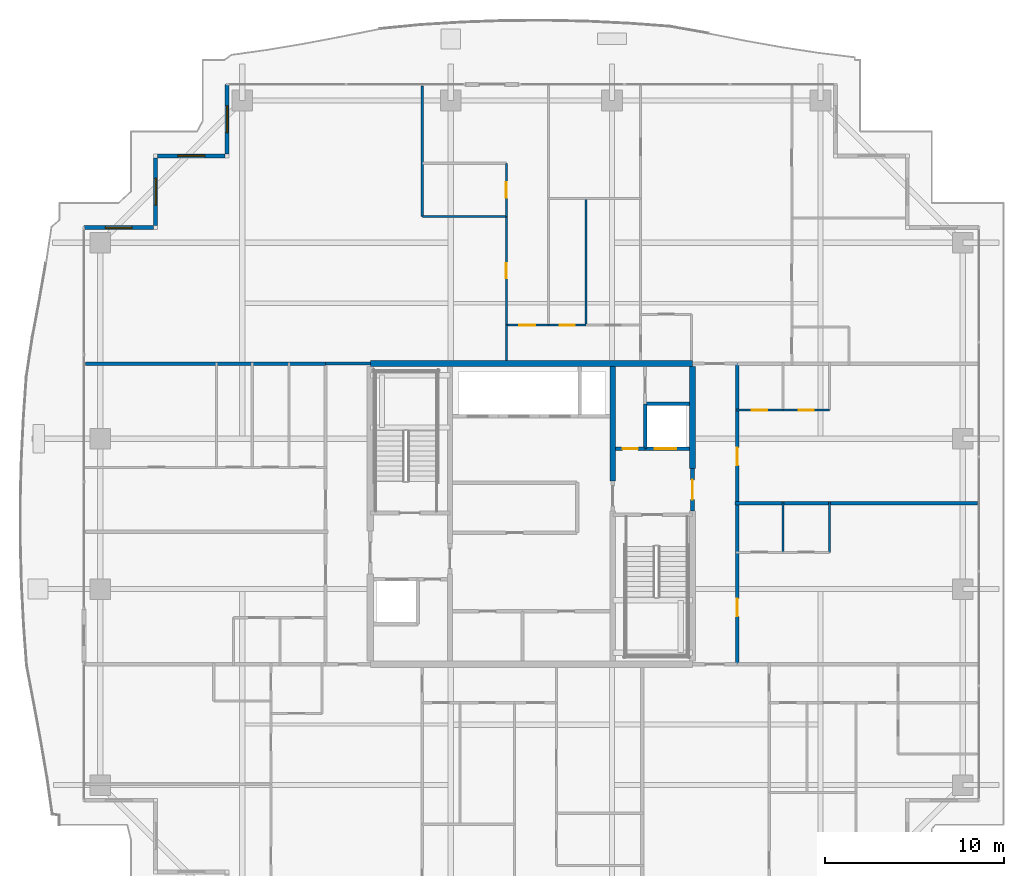
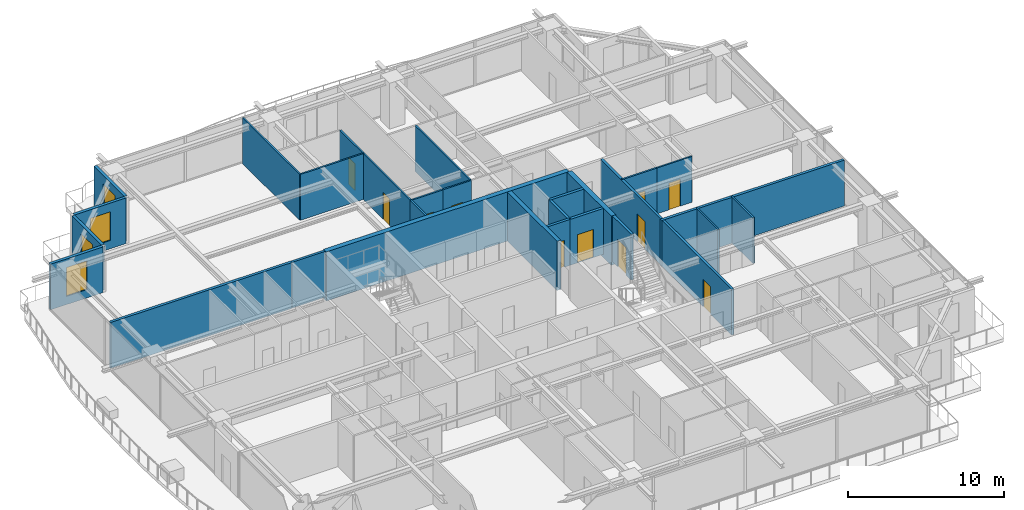
# One storey, part 30 of 38: 28 walls, 11 doors, 4 windows, 15 openings.
"""IFC4 building model written with IfcOpenShell, lengths in metres."""

from ifc_helpers import new_model, si_unit, direction, frame, frame_2d, origin, place, context, subcontext, project, spatial, rectangle, extrude, source, transform, mapped, material, layer, layer_set, type_object, element, fill, save


model = new_model("IFC4")

# Units and contexts
model_context = context("Model", 3, precision=1e-05, world=origin(), true_north=direction((0.0, 1.0)))
body_context = subcontext(model_context, "Body", "Model", "MODEL_VIEW")
ifc_project = project(units=[si_unit("LENGTHUNIT", "METRE"), si_unit("AREAUNIT", "SQUARE_METRE"), si_unit("VOLUMEUNIT", "CUBIC_METRE"), si_unit("PLANEANGLEUNIT", "RADIAN"), si_unit("MASSUNIT", "GRAM", prefix="KILO")], contexts=[model_context])

# Site, building, storey
site_placement = place(None, origin())
site = spatial("IfcSite", under=ifc_project, at=site_placement, CompositionType="ELEMENT")
building_placement = place(site_placement, origin())
building = spatial("IfcBuilding", under=site, at=building_placement, Name="Serunith Strait Residences", CompositionType="ELEMENT")
storey_placement = place(building_placement, frame((0.0, 0.0, 268.199951171875)))
storey = spatial("IfcBuildingStorey", under=building, at=storey_placement, Name="L67", CompositionType="ELEMENT", Elevation=268.199951171875)

# Wall, opening, window
ifc_material_1 = material(Name="Pale-Champagne Aluminium Insulated Panel", Category="aluminium")
ifc_layer_1 = layer(ifc_material_1, 0.219970703125, Name="Pale-Champagne Aluminium Insulated Panel")
ifc_layer_set_1 = layer_set([ifc_layer_1], Name="Pale-Champagne Aluminium Insulated Panel")
wall_type_1 = type_object("IfcWallType", Name="EW-ALUM-220", PredefinedType="ELEMENTEDWALL", material=ifc_layer_set_1)
wall_1_placement = place(storey_placement, frame((15.39990234375, 49.199951171875, 0.0), z_axis=(0.0, 0.0, 1.0), x_axis=(0.0, -1.0, 0.0)))
wall_1 = element("IfcWall", 1, at=wall_1_placement, inside=storey, type_object=wall_type_1, Name="L67 Girih Serrated Corner Wall 12", PredefinedType="ELEMENTEDWALL", context=body_context, shape_type="SweptSolid", body=[
    extrude(rectangle(XDim=3.889892578125, YDim=0.219970703125, at=frame_2d((1.94482421875, 0.0))), origin(), (0.0, 0.0, 1.0), 3.574951171875),
])
opening_1_placement = place(wall_1_placement, frame((1.195068359375, 0.0, 0.64990234375)))
opening_1 = element("IfcOpeningElement", 2, at=opening_1_placement, cuts=wall_1, Name="Opening W-05", PredefinedType="OPENING", context=body_context, shape_type="SweptSolid", body=[
    extrude(rectangle(XDim=1.5, YDim=2.25, at=frame_2d((0.75, 1.125))), frame((0.0, 0.1201171875, 0.0), z_axis=(0.0, -1.0, 0.0), x_axis=(1.0, 0.0, 0.0)), (0.0, 0.0, 1.0), 0.239990234375),
])
ifc_material_2 = material(Name="Ceramic-Fritted Operable Aluminium Window Glass", Category="aluminium")
window_type = type_object("IfcWindowType", Name="WIN-C5", PartitioningType="DOUBLE_PANEL_VERTICAL", PredefinedType="WINDOW", material=ifc_material_2)
shared_shape_1 = source(origin(), body_context, "Body", "SweptSolid", [
    extrude(rectangle(XDim=1.5, YDim=2.25, at=frame_2d((0.75, 1.125))), frame((0.0, 0.030029296875, 0.0), z_axis=(0.0, -1.0, 0.0), x_axis=(1.0, 0.0, 0.0)), (0.0, 0.0, 1.0), 0.06005859375),
])
window_1_placement = place(opening_1_placement, origin())
window_1 = element("IfcWindow", 3, at=window_1_placement, inside=storey, type_object=window_type, Name="L67 Corner Operable Fritted Window 12", OverallHeight=2.25, OverallWidth=1.5, PartitioningType="SINGLE_PANEL", PredefinedType="WINDOW", context=body_context, shape_type="MappedRepresentation", body=[
    mapped(shared_shape_1, transform((0.0, 0.0, 0.0), scale=1.0)),
])
fill(opening_1, window_1)

wall_2_placement = place(storey_placement, frame((15.2900390625, 45.199951171875, 0.0), z_axis=(0.0, 0.0, 1.0), x_axis=(-1.0, 0.0, 0.0)))
wall_2 = element("IfcWall", 4, at=wall_2_placement, inside=storey, type_object=wall_type_1, Name="L67 Girih Serrated Corner Wall 13", PredefinedType="ELEMENTEDWALL", context=body_context, shape_type="SweptSolid", body=[
    extrude(rectangle(XDim=3.780029296875, YDim=0.219970703125, at=frame_2d((1.89013671875, 0.0))), origin(), (0.0, 0.0, 1.0), 3.574951171875),
])
opening_2_placement = place(wall_2_placement, frame((1.139892578125, 0.0, 0.64990234375)))
opening_2 = element("IfcOpeningElement", 5, at=opening_2_placement, cuts=wall_2, Name="Opening W-05", PredefinedType="OPENING", context=body_context, shape_type="SweptSolid", body=[
    extrude(rectangle(XDim=1.5, YDim=2.25, at=frame_2d((0.75, 1.125))), frame((0.0, 0.1201171875, 0.0), z_axis=(0.0, -1.0, 0.0), x_axis=(1.0, 0.0, 0.0)), (0.0, 0.0, 1.0), 0.239990234375),
])
window_2_placement = place(opening_2_placement, origin())
window_2 = element("IfcWindow", 6, at=window_2_placement, inside=storey, type_object=window_type, Name="L67 Corner Operable Fritted Window 13", OverallHeight=2.25, OverallWidth=1.5, PartitioningType="SINGLE_PANEL", PredefinedType="WINDOW", context=body_context, shape_type="MappedRepresentation", body=[
    mapped(shared_shape_1, transform((0.0, 0.0, 0.0), scale=1.0)),
])
fill(opening_2, window_2)

wall_3_placement = place(storey_placement, frame((11.39990234375, 45.090087890625, 0.0), z_axis=(0.0, 0.0, 1.0), x_axis=(0.0, -1.0, 0.0)))
wall_3 = element("IfcWall", 7, at=wall_3_placement, inside=storey, type_object=wall_type_1, Name="L67 Girih Serrated Corner Wall 14", PredefinedType="ELEMENTEDWALL", context=body_context, shape_type="SweptSolid", body=[
    extrude(rectangle(XDim=3.780029296875, YDim=0.219970703125, at=frame_2d((1.89013671875, 0.0))), origin(), (0.0, 0.0, 1.0), 3.574951171875),
])
opening_3_placement = place(wall_3_placement, frame((1.139892578125, 0.0, 0.64990234375)))
opening_3 = element("IfcOpeningElement", 8, at=opening_3_placement, cuts=wall_3, Name="Opening W-05", PredefinedType="OPENING", context=body_context, shape_type="SweptSolid", body=[
    extrude(rectangle(XDim=1.5, YDim=2.25, at=frame_2d((0.75, 1.125))), frame((0.0, 0.1201171875, 0.0), z_axis=(0.0, -1.0, 0.0), x_axis=(1.0, 0.0, 0.0)), (0.0, 0.0, 1.0), 0.239990234375),
])
window_3_placement = place(opening_3_placement, origin())
window_3 = element("IfcWindow", 9, at=window_3_placement, inside=storey, type_object=window_type, Name="L67 Corner Operable Fritted Window 14", OverallHeight=2.25, OverallWidth=1.5, PartitioningType="SINGLE_PANEL", PredefinedType="WINDOW", context=body_context, shape_type="MappedRepresentation", body=[
    mapped(shared_shape_1, transform((0.0, 0.0, 0.0), scale=1.0)),
])
fill(opening_3, window_3)

wall_4_placement = place(storey_placement, frame((11.2900390625, 41.199951171875, 0.0), z_axis=(0.0, 0.0, 1.0), x_axis=(-1.0, 0.0, 0.0)))
wall_4 = element("IfcWall", 10, at=wall_4_placement, inside=storey, type_object=wall_type_1, Name="L67 Girih Serrated Corner Wall 15", PredefinedType="ELEMENTEDWALL", context=body_context, shape_type="SweptSolid", body=[
    extrude(rectangle(XDim=3.89013671875, YDim=0.219970703125, at=frame_2d((1.945068359375, 0.0))), origin(), (0.0, 0.0, 1.0), 3.574951171875),
])
opening_4_placement = place(wall_4_placement, frame((1.195068359375, 0.0, 0.64990234375)))
opening_4 = element("IfcOpeningElement", 11, at=opening_4_placement, cuts=wall_4, Name="Opening W-05", PredefinedType="OPENING", context=body_context, shape_type="SweptSolid", body=[
    extrude(rectangle(XDim=1.5, YDim=2.25, at=frame_2d((0.75, 1.125))), frame((0.0, 0.1201171875, 0.0), z_axis=(0.0, -1.0, 0.0), x_axis=(1.0, 0.0, 0.0)), (0.0, 0.0, 1.0), 0.239990234375),
])
window_4_placement = place(opening_4_placement, origin())
window_4 = element("IfcWindow", 12, at=window_4_placement, inside=storey, type_object=window_type, Name="L67 Corner Operable Fritted Window 15", OverallHeight=2.25, OverallWidth=1.5, PartitioningType="SINGLE_PANEL", PredefinedType="WINDOW", context=body_context, shape_type="MappedRepresentation", body=[
    mapped(shared_shape_1, transform((0.0, 0.0, 0.0), scale=1.0)),
])
fill(opening_4, window_4)

# Wall
ifc_material_3 = material(Name="Fire-rated acoustic gypsum partition")
ifc_layer_2 = layer(ifc_material_3, 0.179931640625, Name="Fire-rated acoustic gypsum partition")
ifc_layer_set_2 = layer_set([ifc_layer_2], Name="Fire-rated acoustic gypsum partition")
wall_type_2 = type_object("IfcWallType", Name="IW-CORR-180", PredefinedType="PARTITIONING", material=ifc_layer_set_2)
wall_5_placement = place(storey_placement, frame((20.902099609375, 33.60009765625, 0.0), z_axis=(0.0, 0.0, 1.0), x_axis=(1.0, 0.0, 0.0)))
element("IfcWall", 13, at=wall_5_placement, inside=storey, type_object=wall_type_2, Name="L67 Partition Wall 026", PredefinedType="PARTITIONING", context=body_context, shape_type="SweptSolid", body=[
    extrude(rectangle(XDim=2.495849609375, YDim=0.179931640625, at=frame_2d((1.248046875, 0.0))), origin(), (0.0, 0.0, 1.0), 3.590087890625),
])

# Wall, openings, doors
wall_6_placement = place(storey_placement, frame((43.89990234375, 16.800048828125, 0.0), z_axis=(0.0, 0.0, 1.0), x_axis=(0.0, 1.0, 0.0)))
wall_6 = element("IfcWall", 14, at=wall_6_placement, inside=storey, type_object=wall_type_2, Name="L67 Partition Wall 030", PredefinedType="PARTITIONING", context=body_context, shape_type="SweptSolid", body=[
    extrude(rectangle(XDim=16.800048828125, YDim=0.179931640625, at=frame_2d((8.39990234375, 0.0))), origin(), (0.0, 0.0, 1.0), 3.590087890625),
])
opening_5_placement = place(wall_6_placement, frame((2.669921875, 0.0, 0.0)))
opening_5 = element("IfcOpeningElement", 15, at=opening_5_placement, cuts=wall_6, Name="Opening D-APT1000", PredefinedType="OPENING", context=body_context, shape_type="SweptSolid", body=[
    extrude(rectangle(XDim=1.0, YDim=2.14990234375, at=frame_2d((0.5, 1.074951171875))), frame((0.0, 0.10009765625, 0.0), z_axis=(0.0, -1.0, 0.0), x_axis=(1.0, 0.0, 0.0)), (0.0, 0.0, 1.0), 0.199951171875),
])
opening_6_placement = place(wall_6_placement, frame((11.10693359375, 0.0, 0.0)))
opening_6 = element("IfcOpeningElement", 16, at=opening_6_placement, cuts=wall_6, Name="Opening D-APT1000", PredefinedType="OPENING", context=body_context, shape_type="SweptSolid", body=[
    extrude(rectangle(XDim=1.0, YDim=2.14990234375, at=frame_2d((0.5, 1.074951171875))), frame((0.0, 0.10009765625, 0.0), z_axis=(0.0, -1.0, 0.0), x_axis=(1.0, 0.0, 0.0)), (0.0, 0.0, 1.0), 0.199951171875),
])
ifc_material_4 = material(Name="Solid timber engineered fire door", Category="wood")
door_type_1 = type_object("IfcDoorType", Name="ID-APT-1000", OperationType="NOTDEFINED", PredefinedType="DOOR", material=ifc_material_4)
shared_shape_2 = source(origin(), body_context, "Body", "SweptSolid", [
    extrude(rectangle(XDim=1.0, YDim=2.14990234375, at=frame_2d((0.5, 1.074951171875))), frame((0.0, 0.02490234375, 0.0), z_axis=(0.0, -1.0, 0.0), x_axis=(1.0, 0.0, 0.0)), (0.0, 0.0, 1.0), 0.050048828125),
])
door_1_placement = place(opening_5_placement, origin())
door_1 = element("IfcDoor", 17, at=door_1_placement, inside=storey, type_object=door_type_1, Name="L67 Unit 06 Entrance Door", OperationType="SINGLE_SWING_LEFT", OverallHeight=2.14990234375, OverallWidth=1.0, PredefinedType="DOOR", context=body_context, shape_type="MappedRepresentation", body=[
    mapped(shared_shape_2, transform((0.0, 0.0, 0.0), scale=1.0)),
])
fill(opening_5, door_1)
door_2_placement = place(opening_6_placement, origin())
door_2 = element("IfcDoor", 18, at=door_2_placement, inside=storey, type_object=door_type_1, Name="L67 Unit 07 Entrance Door", OperationType="SINGLE_SWING_RIGHT", OverallHeight=2.14990234375, OverallWidth=1.0, PredefinedType="DOOR", context=body_context, shape_type="MappedRepresentation", body=[
    mapped(shared_shape_2, transform((0.0, 0.0, 0.0), scale=1.0)),
])
fill(opening_6, door_2)

# Wall
ifc_material_5 = material(Name="Lightweight steel-stud gypsum partition", Category="steel")
ifc_layer_3 = layer(ifc_material_5, 0.1201171875, Name="Lightweight steel-stud gypsum partition")
ifc_layer_set_3 = layer_set([ifc_layer_3], Name="Lightweight steel-stud gypsum partition")
wall_type_3 = type_object("IfcWallType", Name="IW-PART-120", PredefinedType="PARTITIONING", material=ifc_layer_set_3)
wall_7_placement = place(storey_placement, frame((35.449951171875, 42.830078125, 0.0), z_axis=(0.0, 0.0, 1.0), x_axis=(0.0, -1.0, 0.0)))
element("IfcWall", 19, at=wall_7_placement, inside=storey, type_object=wall_type_3, Name="L67 Partition Wall 073", PredefinedType="PARTITIONING", context=body_context, shape_type="SweptSolid", body=[
    extrude(rectangle(XDim=7.080078125, YDim=0.1201171875, at=frame_2d((3.5400390625, 0.0))), origin(), (0.0, 0.0, 1.0), 3.590087890625),
])

# Wall, opening, door
wall_8_placement = place(storey_placement, frame((33.35009765625, 35.75, 0.0), z_axis=(0.0, 0.0, 1.0), x_axis=(1.0, 0.0, 0.0)))
wall_8 = element("IfcWall", 20, at=wall_8_placement, inside=storey, type_object=wall_type_3, Name="L67 Partition Wall 074", PredefinedType="PARTITIONING", context=body_context, shape_type="SweptSolid", body=[
    extrude(rectangle(XDim=2.099853515625, YDim=0.1201171875, at=frame_2d((1.0498046875, 0.0))), origin(), (0.0, 0.0, 1.0), 3.590087890625),
])
opening_7_placement = place(wall_8_placement, frame((0.625, 0.0, 0.0)))
opening_7 = element("IfcOpeningElement", 21, at=opening_7_placement, cuts=wall_8, Name="Opening D-BTH850", PredefinedType="OPENING", context=body_context, shape_type="SweptSolid", body=[
    extrude(rectangle(XDim=0.85009765625, YDim=2.10009765625, at=frame_2d((0.425048828125, 1.050048828125))), frame((0.0, 0.070068359375, 0.0), z_axis=(0.0, -1.0, 0.0), x_axis=(1.0, 0.0, 0.0)), (0.0, 0.0, 1.0), 0.14013671875),
])
ifc_material_6 = material(Name="Moisture-resistant timber bathroom door", Category="wood")
door_type_2 = type_object("IfcDoorType", Name="ID-BATH-850", OperationType="NOTDEFINED", PredefinedType="DOOR", material=ifc_material_6)
shared_shape_3 = source(origin(), body_context, "Body", "SweptSolid", [
    extrude(rectangle(XDim=0.85009765625, YDim=2.10009765625, at=frame_2d((0.425048828125, 1.050048828125))), frame((0.0, 0.02490234375, 0.0), z_axis=(0.0, -1.0, 0.0), x_axis=(1.0, 0.0, 0.0)), (0.0, 0.0, 1.0), 0.050048828125),
])
door_3_placement = place(opening_7_placement, origin())
door_3 = element("IfcDoor", 22, at=door_3_placement, inside=storey, type_object=door_type_2, Name="L67 Bathroom 6703 Door", OperationType="SINGLE_SWING_RIGHT", OverallHeight=2.10009765625, OverallWidth=0.85009765625, PredefinedType="DOOR", context=body_context, shape_type="MappedRepresentation", body=[
    mapped(shared_shape_3, transform((0.0, 0.0, 0.0), scale=1.0)),
])
fill(opening_7, door_3)

wall_9_placement = place(storey_placement, frame((31.0, 35.75, 0.0), z_axis=(0.0, 0.0, 1.0), x_axis=(1.0, 0.0, 0.0)))
wall_9 = element("IfcWall", 23, at=wall_9_placement, inside=storey, type_object=wall_type_3, Name="L67 Partition Wall 076", PredefinedType="PARTITIONING", context=body_context, shape_type="SweptSolid", body=[
    extrude(rectangle(XDim=2.347900390625, YDim=0.1201171875, at=frame_2d((1.173828125, 0.0))), origin(), (0.0, 0.0, 1.0), 3.590087890625),
])
opening_8_placement = place(wall_9_placement, frame((0.72412109375, 0.0, 0.0)))
opening_8 = element("IfcOpeningElement", 24, at=opening_8_placement, cuts=wall_9, Name="Opening D-RM900", PredefinedType="OPENING", context=body_context, shape_type="SweptSolid", body=[
    extrude(rectangle(XDim=0.89990234375, YDim=2.10009765625, at=frame_2d((0.449951171875, 1.050048828125))), frame((0.0, 0.070068359375, 0.0), z_axis=(0.0, -1.0, 0.0), x_axis=(1.0, 0.0, 0.0)), (0.0, 0.0, 1.0), 0.14013671875),
])
ifc_material_7 = material(Name="Engineered timber flush bedroom door", Category="wood")
door_type_3 = type_object("IfcDoorType", Name="ID-ROOM-900", OperationType="NOTDEFINED", PredefinedType="DOOR", material=ifc_material_7)
shared_shape_4 = source(origin(), body_context, "Body", "SweptSolid", [
    extrude(rectangle(XDim=0.89990234375, YDim=2.10009765625, at=frame_2d((0.449951171875, 1.050048828125))), frame((0.0, 0.02490234375, 0.0), z_axis=(0.0, -1.0, 0.0), x_axis=(1.0, 0.0, 0.0)), (0.0, 0.0, 1.0), 0.050048828125),
])
door_4_placement = place(opening_8_placement, origin())
door_4 = element("IfcDoor", 25, at=door_4_placement, inside=storey, type_object=door_type_3, Name="L67 Master Bedroom W 6703 Door", OperationType="SINGLE_SWING_RIGHT", OverallHeight=2.10009765625, OverallWidth=0.89990234375, PredefinedType="DOOR", context=body_context, shape_type="MappedRepresentation", body=[
    mapped(shared_shape_4, transform((0.0, 0.0, 0.0), scale=1.0)),
])
fill(opening_8, door_4)

# Walls
wall_10_placement = place(storey_placement, frame((26.300048828125, 49.10498046875, 0.0), z_axis=(0.0, 0.0, 1.0), x_axis=(0.0, -1.0, 0.0)))
element("IfcWall", 26, at=wall_10_placement, inside=storey, type_object=wall_type_3, Name="L67 Partition Wall 078", PredefinedType="PARTITIONING", context=body_context, shape_type="SweptSolid", body=[
    extrude(rectangle(XDim=7.29296875, YDim=0.1201171875, at=frame_2d((3.646484375, 0.0))), origin(), (0.0, 0.0, 1.0), 3.590087890625),
])
wall_11_placement = place(storey_placement, frame((26.300048828125, 41.81201171875, 0.0), z_axis=(0.0, 0.0, 1.0), x_axis=(1.0, 0.0, 0.0)))
element("IfcWall", 27, at=wall_11_placement, inside=storey, type_object=wall_type_3, Name="L67 Partition Wall 079", PredefinedType="PARTITIONING", context=body_context, shape_type="SweptSolid", body=[
    extrude(rectangle(XDim=4.699951171875, YDim=0.1201171875, at=frame_2d((2.35009765625, 0.0))), origin(), (0.0, 0.0, 1.0), 3.590087890625),
])

# Wall, opening, door
wall_12_placement = place(storey_placement, frame((31.0, 44.791015625, 0.0), z_axis=(0.0, 0.0, 1.0), x_axis=(0.0, -1.0, 0.0)))
wall_12 = element("IfcWall", 28, at=wall_12_placement, inside=storey, type_object=wall_type_3, Name="L67 Partition Wall 080", PredefinedType="PARTITIONING", context=body_context, shape_type="SweptSolid", body=[
    extrude(rectangle(XDim=2.97900390625, YDim=0.1201171875, at=frame_2d((1.489501953125, 0.0))), origin(), (0.0, 0.0, 1.0), 3.590087890625),
])
opening_9_placement = place(wall_12_placement, frame((1.06396484375, 0.0, 0.0)))
opening_9 = element("IfcOpeningElement", 29, at=opening_9_placement, cuts=wall_12, Name="Opening D-BTH850", PredefinedType="OPENING", context=body_context, shape_type="SweptSolid", body=[
    extrude(rectangle(XDim=0.85009765625, YDim=2.10009765625, at=frame_2d((0.425048828125, 1.050048828125))), frame((0.0, 0.070068359375, 0.0), z_axis=(0.0, -1.0, 0.0), x_axis=(1.0, 0.0, 0.0)), (0.0, 0.0, 1.0), 0.14013671875),
])
door_5_placement = place(opening_9_placement, origin())
door_5 = element("IfcDoor", 30, at=door_5_placement, inside=storey, type_object=door_type_2, Name="L67 En-suite Bathroom W 6703 Door", OperationType="SINGLE_SWING_LEFT", OverallHeight=2.10009765625, OverallWidth=0.85009765625, PredefinedType="DOOR", context=body_context, shape_type="MappedRepresentation", body=[
    mapped(shared_shape_3, transform((0.0, 0.0, 0.0), scale=1.0)),
])
fill(opening_9, door_5)

wall_13_placement = place(storey_placement, frame((31.0, 41.81005859375, 0.0), z_axis=(0.0, 0.0, 1.0), x_axis=(0.0, -1.0, 0.0)))
wall_13 = element("IfcWall", 31, at=wall_13_placement, inside=storey, type_object=wall_type_3, Name="L67 Partition Wall 081", PredefinedType="PARTITIONING", context=body_context, shape_type="SweptSolid", body=[
    extrude(rectangle(XDim=6.06005859375, YDim=0.1201171875, at=frame_2d((3.030029296875, 0.0))), origin(), (0.0, 0.0, 1.0), 3.590087890625),
])
opening_10_placement = place(wall_13_placement, frame((2.60498046875, 0.0, 0.0)))
opening_10 = element("IfcOpeningElement", 32, at=opening_10_placement, cuts=wall_13, Name="Opening D-RM850", PredefinedType="OPENING", context=body_context, shape_type="SweptSolid", body=[
    extrude(rectangle(XDim=0.85009765625, YDim=2.10009765625, at=frame_2d((0.425048828125, 1.050048828125))), frame((0.0, 0.070068359375, 0.0), z_axis=(0.0, -1.0, 0.0), x_axis=(1.0, 0.0, 0.0)), (0.0, 0.0, 1.0), 0.14013671875),
])
ifc_material_8 = material(Name="Engineered timber flush study and kitchen door", Category="wood")
door_type_4 = type_object("IfcDoorType", Name="ID-ROOM-850", OperationType="NOTDEFINED", PredefinedType="DOOR", material=ifc_material_8)
door_6_placement = place(opening_10_placement, origin())
door_6 = element("IfcDoor", 33, at=door_6_placement, inside=storey, type_object=door_type_4, Name="L67 Wardrobe W 6703 Door", OperationType="SINGLE_SWING_RIGHT", OverallHeight=2.10009765625, OverallWidth=0.85009765625, PredefinedType="DOOR", context=body_context, shape_type="MappedRepresentation", body=[
    mapped(shared_shape_3, transform((0.0, 0.0, 0.0), scale=1.0)),
])
fill(opening_10, door_6)

# Walls
wall_14_placement = place(storey_placement, frame((31.0, 35.748046875, 0.0), z_axis=(0.0, 0.0, 1.0), x_axis=(0.0, -1.0, 0.0)))
element("IfcWall", 34, at=wall_14_placement, inside=storey, type_object=wall_type_3, Name="L67 Partition Wall 082", PredefinedType="PARTITIONING", context=body_context, shape_type="SweptSolid", body=[
    extrude(rectangle(XDim=1.97314453125, YDim=0.1201171875, at=frame_2d((0.986572265625, 0.0))), origin(), (0.0, 0.0, 1.0), 3.590087890625),
])
for number, where, z_axis, x_axis, name in (
    (35, (46.449951171875, 23.050048828125, 0.0), (0.0, 0.0, 1.0), (0.0, 1.0, 0.0), "L67 Partition Wall 102"),
    (36, (49.050048828125, 23.050048828125, 0.0), (0.0, 0.0, 1.0), (0.0, 1.0, 0.0), "L67 Partition Wall 103"),
):
    element("IfcWall", number, at=place(storey_placement, frame(where, z_axis=z_axis, x_axis=x_axis)), inside=storey, type_object=wall_type_3, Name=name, PredefinedType="PARTITIONING", context=body_context, shape_type="SweptSolid", body=[
        extrude(rectangle(XDim=2.81005859375, YDim=0.1201171875, at=frame_2d((1.405029296875, 0.0))), origin(), (0.0, 0.0, 1.0), 3.590087890625),
    ])

# Wall, opening, door
wall_15_placement = place(storey_placement, frame((49.050048828125, 31.0, 0.0), z_axis=(0.0, 0.0, 1.0), x_axis=(-1.0, 0.0, 0.0)))
wall_15 = element("IfcWall", 37, at=wall_15_placement, inside=storey, type_object=wall_type_3, Name="L67 Partition Wall 104", PredefinedType="PARTITIONING", context=body_context, shape_type="SweptSolid", body=[
    extrude(rectangle(XDim=2.60009765625, YDim=0.1201171875, at=frame_2d((1.300048828125, 0.0))), origin(), (0.0, 0.0, 1.0), 3.590087890625),
])
opening_11_placement = place(wall_15_placement, frame((0.875, 0.0, 0.0)))
opening_11 = element("IfcOpeningElement", 38, at=opening_11_placement, cuts=wall_15, Name="Opening D-RM850", PredefinedType="OPENING", context=body_context, shape_type="SweptSolid", body=[
    extrude(rectangle(XDim=0.85009765625, YDim=2.10009765625, at=frame_2d((0.425048828125, 1.050048828125))), frame((0.0, 0.070068359375, 0.0), z_axis=(0.0, -1.0, 0.0), x_axis=(1.0, 0.0, 0.0)), (0.0, 0.0, 1.0), 0.14013671875),
])
door_7_placement = place(opening_11_placement, origin())
door_7 = element("IfcDoor", 39, at=door_7_placement, inside=storey, type_object=door_type_4, Name="L67 Kitchen 6707 Door", OperationType="SINGLE_SWING_RIGHT", OverallHeight=2.10009765625, OverallWidth=0.85009765625, PredefinedType="DOOR", context=body_context, shape_type="MappedRepresentation", body=[
    mapped(shared_shape_3, transform((0.0, 0.0, 0.0), scale=1.0)),
])
fill(opening_11, door_7)

wall_16_placement = place(storey_placement, frame((46.447998046875, 31.0, 0.0), z_axis=(0.0, 0.0, 1.0), x_axis=(-1.0, 0.0, 0.0)))
wall_16 = element("IfcWall", 40, at=wall_16_placement, inside=storey, type_object=wall_type_3, Name="L67 Partition Wall 105", PredefinedType="PARTITIONING", context=body_context, shape_type="SweptSolid", body=[
    extrude(rectangle(XDim=2.60791015625, YDim=0.1201171875, at=frame_2d((1.303955078125, 0.0))), origin(), (0.0, 0.0, 1.0), 3.590087890625),
])
opening_12_placement = place(wall_16_placement, frame((0.87890625, 0.0, 0.0)))
opening_12 = element("IfcOpeningElement", 41, at=opening_12_placement, cuts=wall_16, Name="Opening D-BTH850", PredefinedType="OPENING", context=body_context, shape_type="SweptSolid", body=[
    extrude(rectangle(XDim=0.85009765625, YDim=2.10009765625, at=frame_2d((0.425048828125, 1.050048828125))), frame((0.0, 0.070068359375, 0.0), z_axis=(0.0, -1.0, 0.0), x_axis=(1.0, 0.0, 0.0)), (0.0, 0.0, 1.0), 0.14013671875),
])
door_8_placement = place(opening_12_placement, origin())
door_8 = element("IfcDoor", 42, at=door_8_placement, inside=storey, type_object=door_type_2, Name="L67 Bathroom 6707 Door", OperationType="SINGLE_SWING_LEFT", OverallHeight=2.10009765625, OverallWidth=0.85009765625, PredefinedType="DOOR", context=body_context, shape_type="MappedRepresentation", body=[
    mapped(shared_shape_3, transform((0.0, 0.0, 0.0), scale=1.0)),
])
fill(opening_12, door_8)

# Walls
ifc_material_9 = material(Name="Twin-stud acoustic gypsum board partition")
ifc_layer_4 = layer(ifc_material_9, 0.199951171875, Name="Twin-stud acoustic gypsum board partition")
ifc_layer_set_4 = layer_set([ifc_layer_4], Name="Twin-stud acoustic gypsum board partition")
wall_type_4 = type_object("IfcWallType", Name="IW-PARTY-200", PredefinedType="PARTITIONING", material=ifc_layer_set_4)
wall_17_placement = place(storey_placement, frame((43.780029296875, 25.800048828125, 0.0), z_axis=(0.0, 0.0, 1.0), x_axis=(1.0, 0.0, 0.0)))
element("IfcWall", 43, at=wall_17_placement, inside=storey, type_object=wall_type_4, Name="L67 Partition Wall 020", PredefinedType="PARTITIONING", context=body_context, shape_type="SweptSolid", body=[
    extrude(rectangle(XDim=13.5380859375, YDim=0.199951171875, at=frame_2d((6.76904296875, 0.0))), origin(), (0.0, 0.0, 1.0), 3.590087890625),
])
wall_18_placement = place(storey_placement, frame((7.48193359375, 33.60009765625, 0.0), z_axis=(0.0, 0.0, 1.0), x_axis=(1.0, 0.0, 0.0)))
element("IfcWall", 44, at=wall_18_placement, inside=storey, type_object=wall_type_4, Name="L67 Partition Wall 023", PredefinedType="PARTITIONING", context=body_context, shape_type="SweptSolid", body=[
    extrude(rectangle(XDim=13.41796875, YDim=0.199951171875, at=frame_2d((6.708984375, 0.0))), origin(), (0.0, 0.0, 1.0), 3.590087890625),
])

# Wall, opening, door
ifc_material_10 = material(Name="Autoclaved aerated concrete blockwork", Category="masonry")
ifc_layer_5 = layer(ifc_material_10, 0.199951171875, Name="Autoclaved aerated concrete blockwork")
ifc_layer_set_5 = layer_set([ifc_layer_5], Name="Autoclaved aerated concrete blockwork")
wall_type_5 = type_object("IfcWallType", Name="IW-SHAFT-200", PredefinedType="STANDARD", material=ifc_layer_set_5)
wall_19_placement = place(storey_placement, frame((38.75, 28.85009765625, 0.0), z_axis=(0.0, 0.0, 1.0), x_axis=(1.0, 0.0, 0.0)))
wall_19 = element("IfcWall", 45, at=wall_19_placement, inside=storey, type_object=wall_type_5, Name="L67 FL-2 South Shaft Wall", PredefinedType="STANDARD", context=body_context, shape_type="SweptSolid", body=[
    extrude(rectangle(XDim=2.47509765625, YDim=0.199951171875, at=frame_2d((1.237548828125, 0.0))), origin(), (0.0, 0.0, 1.0), 3.590087890625),
])
opening_13_placement = place(wall_19_placement, frame((0.550048828125, 0.0, 0.0)))
opening_13 = element("IfcOpeningElement", 46, at=opening_13_placement, cuts=wall_19, Name="Opening LD-FF1200", PredefinedType="OPENING", context=body_context, shape_type="SweptSolid", body=[
    extrude(rectangle(XDim=1.199951171875, YDim=2.199951171875, at=frame_2d((0.60009765625, 1.10009765625))), frame((0.0, 0.10986328125, 0.0), z_axis=(0.0, -1.0, 0.0), x_axis=(1.0, 0.0, 0.0)), (0.0, 0.0, 1.0), 0.219970703125),
])
ifc_material_11 = material(Name="Brushed stainless steel landing door", Category="steel")
door_type_5 = type_object("IfcDoorType", Name="LD-FF-1200", OperationType="DOUBLE_DOOR_SLIDING", PredefinedType="DOOR", material=ifc_material_11)
shared_shape_5 = source(origin(), body_context, "Body", "SweptSolid", [
    extrude(rectangle(XDim=1.199951171875, YDim=2.199951171875, at=frame_2d((0.60009765625, 1.10009765625))), frame((0.0, 0.02490234375, 0.0), z_axis=(0.0, -1.0, 0.0), x_axis=(1.0, 0.0, 0.0)), (0.0, 0.0, 1.0), 0.050048828125),
])
door_9_placement = place(opening_13_placement, origin())
door_9 = element("IfcDoor", 47, at=door_9_placement, inside=storey, type_object=door_type_5, Name="L67 FL-2 Landing Door", OperationType="DOUBLE_DOOR_SLIDING", OverallHeight=2.199951171875, OverallWidth=1.199951171875, PredefinedType="DOOR", context=body_context, shape_type="MappedRepresentation", body=[
    mapped(shared_shape_5, transform((0.0, 0.0, 0.0), scale=1.0)),
])
fill(opening_13, door_9)

# Walls
wall_20_placement = place(storey_placement, frame((38.75, 28.85009765625, 0.0), z_axis=(0.0, 0.0, 1.0), x_axis=(0.0, 1.0, 0.0)))
element("IfcWall", 48, at=wall_20_placement, inside=storey, type_object=wall_type_5, Name="L67 Partition Wall 004", PredefinedType="STANDARD", context=body_context, shape_type="SweptSolid", body=[
    extrude(rectangle(XDim=2.5, YDim=0.199951171875, at=frame_2d((1.25, 0.0))), origin(), (0.0, 0.0, 1.0), 3.590087890625),
])
wall_21_placement = place(storey_placement, frame((38.75, 31.35009765625, 0.0), z_axis=(0.0, 0.0, 1.0), x_axis=(1.0, 0.0, 0.0)))
element("IfcWall", 49, at=wall_21_placement, inside=storey, type_object=wall_type_5, Name="L67 Partition Wall 005", PredefinedType="STANDARD", context=body_context, shape_type="SweptSolid", body=[
    extrude(rectangle(XDim=2.47509765625, YDim=0.199951171875, at=frame_2d((1.237548828125, 0.0))), origin(), (0.0, 0.0, 1.0), 3.590087890625),
])

# Wall, opening, door
wall_22_placement = place(storey_placement, frame((37.10009765625, 28.85009765625, 0.0), z_axis=(0.0, 0.0, 1.0), x_axis=(1.0, 0.0, 0.0)))
wall_22 = element("IfcWall", 50, at=wall_22_placement, inside=storey, type_object=wall_type_5, Name="L67 Partition Wall 006", PredefinedType="STANDARD", context=body_context, shape_type="SweptSolid", body=[
    extrude(rectangle(XDim=1.64794921875, YDim=0.199951171875, at=frame_2d((0.823974609375, 0.0))), origin(), (0.0, 0.0, 1.0), 3.590087890625),
])
opening_14_placement = place(wall_22_placement, frame((0.39892578125, 0.0, 0.0)))
opening_14 = element("IfcOpeningElement", 51, at=opening_14_placement, cuts=wall_22, Name="Opening FD-850", PredefinedType="OPENING", context=body_context, shape_type="SweptSolid", body=[
    extrude(rectangle(XDim=0.85009765625, YDim=2.10009765625, at=frame_2d((0.425048828125, 1.050048828125))), frame((0.0, 0.10986328125, 0.0), z_axis=(0.0, -1.0, 0.0), x_axis=(1.0, 0.0, 0.0)), (0.0, 0.0, 1.0), 0.219970703125),
])
ifc_material_12 = material(Name="Powder-coated steel service closet door", Category="steel")
door_type_6 = type_object("IfcDoorType", Name="FD-BOH-850", OperationType="NOTDEFINED", PredefinedType="DOOR", material=ifc_material_12)
door_10_placement = place(opening_14_placement, origin())
door_10 = element("IfcDoor", 52, at=door_10_placement, inside=storey, type_object=door_type_6, Name="L67 North-East Core Service Door", OperationType="SINGLE_SWING_LEFT", OverallHeight=2.10009765625, OverallWidth=0.85009765625, PredefinedType="DOOR", context=body_context, shape_type="MappedRepresentation", body=[
    mapped(shared_shape_3, transform((0.0, 0.0, 0.0), scale=1.0)),
])
fill(opening_14, door_10)

wall_23_placement = place(storey_placement, frame((41.39990234375, 25.35205078125, 0.0), z_axis=(0.0, 0.0, 1.0), x_axis=(0.0, 1.0, 0.0)))
wall_23 = element("IfcWall", 53, at=wall_23_placement, inside=storey, type_object=wall_type_5, Name="L67 Partition Wall 008", PredefinedType="STANDARD", context=body_context, shape_type="SweptSolid", body=[
    extrude(rectangle(XDim=2.39599609375, YDim=0.199951171875, at=frame_2d((1.197998046875, 0.0))), origin(), (0.0, 0.0, 1.0), 3.590087890625),
])
opening_15_placement = place(wall_23_placement, frame((0.64794921875, 0.0, 0.0)))
opening_15 = element("IfcOpeningElement", 54, at=opening_15_placement, cuts=wall_23, Name="Opening FD-FFL", PredefinedType="OPENING", context=body_context, shape_type="SweptSolid", body=[
    extrude(rectangle(XDim=1.10009765625, YDim=2.14990234375, at=frame_2d((0.550048828125, 1.074951171875))), frame((0.0, 0.10986328125, 0.0), z_axis=(0.0, -1.0, 0.0), x_axis=(1.0, 0.0, 0.0)), (0.0, 0.0, 1.0), 0.219970703125),
])
ifc_material_13 = material(Name="Glazed steel smoke-lobby fire door", Category="steel")
door_type_7 = type_object("IfcDoorType", Name="FD-FFL-1100", OperationType="NOTDEFINED", PredefinedType="DOOR", material=ifc_material_13)
shared_shape_6 = source(origin(), body_context, "Body", "SweptSolid", [
    extrude(rectangle(XDim=1.10009765625, YDim=2.14990234375, at=frame_2d((0.550048828125, 1.074951171875))), frame((0.0, 0.02490234375, 0.0), z_axis=(0.0, -1.0, 0.0), x_axis=(1.0, 0.0, 0.0)), (0.0, 0.0, 1.0), 0.050048828125),
])
door_11_placement = place(opening_15_placement, origin())
door_11 = element("IfcDoor", 55, at=door_11_placement, inside=storey, type_object=door_type_7, Name="L67 FFL-2 Corridor Fire Door", OperationType="SINGLE_SWING_LEFT", OverallHeight=2.14990234375, OverallWidth=1.10009765625, PredefinedType="DOOR", context=body_context, shape_type="MappedRepresentation", body=[
    mapped(shared_shape_6, transform((0.0, 0.0, 0.0), scale=1.0)),
])
fill(opening_15, door_11)

# Walls
ifc_material_14 = material(Name="Concrete C60/75", Category="concrete")
ifc_layer_6 = layer(ifc_material_14, 0.300048828125, Name="Concrete C60/75")
ifc_layer_set_6 = layer_set([ifc_layer_6], Name="Concrete C60/75")
wall_type_6 = type_object("IfcWallType", Name="SW-300-C60", PredefinedType="SHEAR", material=ifc_layer_set_6)
wall_24_placement = place(storey_placement, frame((36.949951171875, 27.050048828125, -0.260009765625), z_axis=(0.0, 0.0, 1.0), x_axis=(0.0, 1.0, 0.0)))
element("IfcWall", 56, at=wall_24_placement, inside=storey, type_object=wall_type_6, Name="L67 Core Internal East Web North Pier", PredefinedType="SHEAR", context=body_context, shape_type="SweptSolid", body=[
    extrude(rectangle(XDim=6.375, YDim=0.300048828125, at=frame_2d((3.1875, 0.0))), origin(), (0.0, 0.0, 1.0), 3.84814453125),
])
ifc_layer_7 = layer(ifc_material_14, 0.35009765625, Name="Concrete C60/75")
ifc_layer_set_7 = layer_set([ifc_layer_7], Name="Concrete C60/75")
wall_type_7 = type_object("IfcWallType", Name="SW-350-C60", PredefinedType="SHEAR", material=ifc_layer_set_7)
wall_25_placement = place(storey_placement, frame((41.39990234375, 33.60009765625, -0.260009765625), z_axis=(0.0, 0.0, 1.0), x_axis=(-1.0, 0.0, 0.0)))
element("IfcWall", 57, at=wall_25_placement, inside=storey, type_object=wall_type_7, Name="L67 Core North Shear Wall", PredefinedType="SHEAR", context=body_context, shape_type="SweptSolid", body=[
    extrude(rectangle(XDim=18.0, YDim=0.35009765625, at=frame_2d((9.0, 0.0))), origin(), (0.0, 0.0, 1.0), 3.84814453125),
])
wall_26_placement = place(storey_placement, frame((41.39990234375, 27.75, -0.260009765625), z_axis=(0.0, 0.0, 1.0), x_axis=(0.0, 1.0, 0.0)))
element("IfcWall", 58, at=wall_26_placement, inside=storey, type_object=wall_type_7, Name="L67 Core East Shear Wall North Pier", PredefinedType="SHEAR", context=body_context, shape_type="SweptSolid", body=[
    extrude(rectangle(XDim=5.675048828125, YDim=0.35009765625, at=frame_2d((2.83740234375, 0.0))), origin(), (0.0, 0.0, 1.0), 3.84814453125),
])

save(model, "model.ifc")
